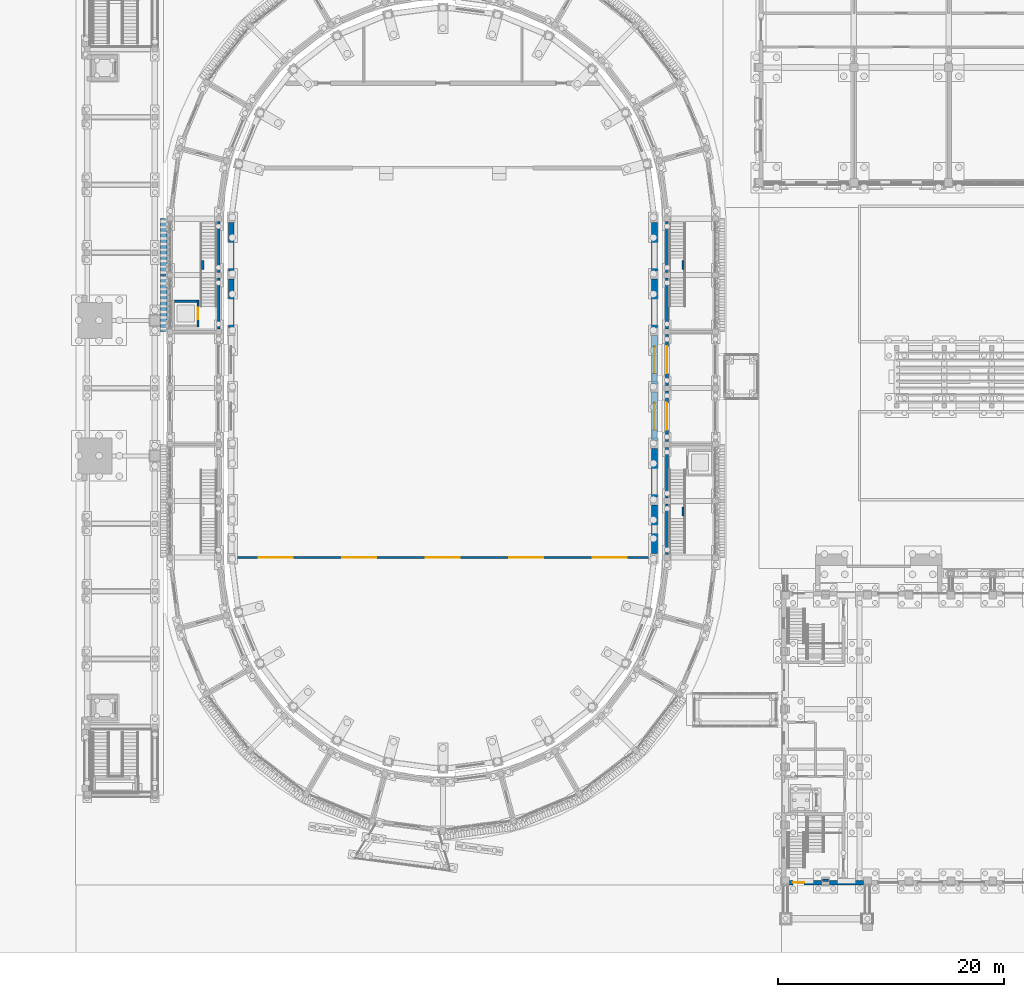
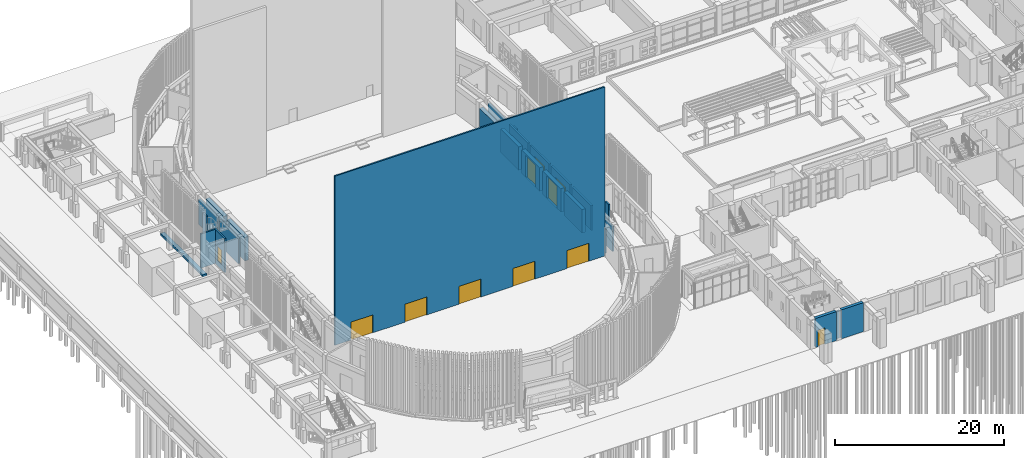
# One storey, part 62 of 112: 27 walls, 11 doors, 11 openings.
"""IFC4 building model written with IfcOpenShell, lengths in metres."""

import ifcopenshell
import ifcopenshell.guid

model = None  # the IFC model being written
_history = None  # IfcOwnerHistory: only IFC2X3 demands one
_inside = {}  # id of a spatial element -> (the spatial element, [elements in it])
_under = {}  # id of a project, library or spatial element -> (it, [spatial elements below it])
_declared = {}  # id of a project -> (the project, [libraries it declares])
_typed = {}  # id of a type object -> (the type object, [elements of that type])
_made_of = {}  # id of a material, layer set ... -> (it, [elements and type objects made of it])


def new_model(schema):
    """Start an empty IFC model of exactly this schema.

    Asked for "IFC4X3", IfcOpenShell would pick the latest addendum, in which some entities
    have other attributes; the version numbers below select the first issue.
    IFC2X3 requires an IfcOwnerHistory on every rooted entity: one is made here for all.
    """
    global model, _history
    if schema == "IFC4X3":
        model = ifcopenshell.file(schema_version=(4, 3, 0, 0))
    else:
        model = ifcopenshell.file(schema=schema)
    _inside.clear()
    _under.clear()
    _declared.clear()
    _typed.clear()
    _made_of.clear()
    _history = None
    if model.schema == "IFC2X3":
        org = make("IfcOrganization", Name="unknown")
        user = make(
            "IfcPersonAndOrganization",
            ThePerson=make("IfcPerson", FamilyName="unknown"),
            TheOrganization=org,
        )
        app = make(
            "IfcApplication",
            ApplicationDeveloper=org,
            Version="unknown",
            ApplicationFullName="unknown",
            ApplicationIdentifier="unknown",
        )
        _history = make(
            "IfcOwnerHistory",
            OwningUser=user,
            OwningApplication=app,
            ChangeAction="ADDED",
            CreationDate=0,
        )
    return model


def make(cls, **values):
    """One entity of the class cls with the attributes given. An attribute that is None is left unset."""
    return model.create_entity(
        cls, **{name: value for name, value in values.items() if value is not None}
    )


def rooted(cls, **values):
    """An entity with a GlobalId (a new one), such as an element, a storey or a relation."""
    return make(cls, GlobalId=ifcopenshell.guid.new(), OwnerHistory=_history, **values)


def si_unit(unit_type, name, prefix=None):
    """IfcSIUnit, for example si_unit("LENGTHUNIT", "METRE", prefix="MILLI")."""
    return make("IfcSIUnit", UnitType=unit_type, Prefix=prefix, Name=name)


def assignment(units):
    """IfcUnitAssignment: the units of a project."""
    return None if units is None else make("IfcUnitAssignment", Units=units)


def point(xyz):
    """IfcCartesianPoint."""
    return None if xyz is None else make("IfcCartesianPoint", Coordinates=xyz)


def direction(xyz):
    """IfcDirection."""
    return None if xyz is None else make("IfcDirection", DirectionRatios=xyz)


def frame(location, z_axis=None, x_axis=None):
    """IfcAxis2Placement3D, a coordinate frame: its origin and axes. An axis left out is left unset."""
    return make(
        "IfcAxis2Placement3D",
        Location=point(location),
        Axis=direction(z_axis),
        RefDirection=direction(x_axis),
    )


def frame_2d(location, x_axis=None):
    """IfcAxis2Placement2D, a coordinate frame in the plane: its origin and x axis."""
    return make(
        "IfcAxis2Placement2D", Location=point(location), RefDirection=direction(x_axis)
    )


def origin():
    """The frame at (0, 0, 0) with its axes left unset."""
    return frame((0.0, 0.0, 0.0))


def place(relative_to, where):
    """IfcLocalPlacement: puts the frame where relative to a parent placement (None: the world)."""
    return make(
        "IfcLocalPlacement", PlacementRelTo=relative_to, RelativePlacement=where
    )


def context(
    kind, dimensions, precision=None, world=None, true_north=None, identifier=None
):
    """IfcGeometricRepresentationContext, for example the 3D "Model" context."""
    return make(
        "IfcGeometricRepresentationContext",
        ContextIdentifier=identifier,
        ContextType=kind,
        CoordinateSpaceDimension=dimensions,
        Precision=precision,
        WorldCoordinateSystem=world,
        TrueNorth=true_north,
    )


def subcontext(parent, identifier, kind, view, scale=None):
    """IfcGeometricRepresentationSubContext, for example "Body" below "Model"."""
    return make(
        "IfcGeometricRepresentationSubContext",
        ContextIdentifier=identifier,
        ContextType=kind,
        ParentContext=parent,
        TargetScale=scale,
        TargetView=view,
    )


def project(units=None, contexts=None):
    """IfcProject with its units and contexts."""
    return rooted(
        "IfcProject",
        Name="project",
        RepresentationContexts=contexts,
        UnitsInContext=assignment(units),
    )


def spatial(cls, under=None, at=None, **own):
    """A site, building, storey or space (cls), placed at a placement, below another one or the project."""
    s = rooted(cls, ObjectPlacement=at, **own)
    if under is not None:
        _under.setdefault(under.id(), (under, []))[1].append(s)
    return s


def profile(cls, at=None, kind="AREA", **sizes):
    """A parametric profile (cls). Its sizes go by their IFC names, for example OverallWidth=200.0."""
    return make(cls, ProfileType=kind, Position=at, **sizes)


def rectangle(**sizes):
    """IfcRectangleProfileDef."""
    return profile("IfcRectangleProfileDef", **sizes)


def extrude(swept, where, along, depth):
    """IfcExtrudedAreaSolid: the profile swept, set in the frame where, extruded along a direction by depth."""
    return make(
        "IfcExtrudedAreaSolid",
        SweptArea=swept,
        Position=where,
        ExtrudedDirection=direction(along),
        Depth=depth,
    )


def shape(context_of_items, identifier, shape_type, items):
    """IfcShapeRepresentation: the items that make up one representation, for example the "Body"."""
    return make(
        "IfcShapeRepresentation",
        ContextOfItems=context_of_items,
        RepresentationIdentifier=identifier,
        RepresentationType=shape_type,
        Items=items,
    )


def material(Name=None, Category=None):
    """IfcMaterial."""
    return make("IfcMaterial", Name=Name, Category=Category)


def layer(
    of_material, thickness, ventilated=None, Name=None, Category=None, Priority=None
):
    """IfcMaterialLayer: one layer of a wall or slab, of a material (None: an air gap)."""
    return make(
        "IfcMaterialLayer",
        Material=of_material,
        LayerThickness=thickness,
        IsVentilated=ventilated,
        Name=Name,
        Category=Category,
        Priority=Priority,
    )


def layer_set(layers, Name=None):
    """IfcMaterialLayerSet."""
    return make("IfcMaterialLayerSet", MaterialLayers=layers, LayerSetName=Name)


def made_of(thing, what):
    """Note that an element or type object is made of a material, layer set ...; save() writes the relation."""
    if what is not None:
        _made_of.setdefault(what.id(), (what, []))[1].append(thing)
    return thing


def type_object(cls, material=None, **own):
    """A type object (cls), such as IfcWallType, which elements share."""
    return made_of(rooted(cls, **own), material)


def element(
    cls,
    number,
    at=None,
    inside=None,
    cuts=None,
    type_object=None,
    material=None,
    context=None,
    identifier="Body",
    shape_type=None,
    held_by="IfcProductDefinitionShape",
    body=None,
    shapes=None,
    **own,
):
    """One element of the class cls, such as IfcWall. Its Tag is "e" and its number.

    at: its placement. inside: the storey or other place that contains it. cuts: it is an
    opening in that element (IfcRelVoidsElement). A single representation is given by context,
    identifier, shape_type and body (its items); several are given by shapes. held_by: the class
    of the entity that holds the representations. save() writes the other relations.
    """
    e = rooted(cls, Tag="e%d" % number, ObjectPlacement=at, **own)
    if body is not None:
        shapes = [shape(context, identifier, shape_type, body)]
    if shapes is not None:
        e.Representation = make(held_by, Representations=shapes)
    if inside is not None:
        _inside.setdefault(inside.id(), (inside, []))[1].append(e)
    if cuts is not None:
        rooted(
            "IfcRelVoidsElement", RelatingBuildingElement=cuts, RelatedOpeningElement=e
        )
    if type_object is not None:
        _typed.setdefault(type_object.id(), (type_object, []))[1].append(e)
    return made_of(e, material)


def fill(opening, filler):
    """IfcRelFillsElement: the door or window that sits in an opening."""
    return rooted(
        "IfcRelFillsElement",
        RelatingOpeningElement=opening,
        RelatedBuildingElement=filler,
    )


def aggregate(whole, parts):
    """IfcRelAggregates: a whole, such as a stair, and the parts it consists of."""
    return rooted("IfcRelAggregates", RelatingObject=whole, RelatedObjects=parts)


def save(model, path):
    """Write the relations noted so far, then the file.

    IfcRelAggregates (storeys below a building ...), IfcRelContainedInSpatialStructure (elements
    in a storey), IfcRelDefinesByType, IfcRelAssociatesMaterial and IfcRelDeclares: one each for
    every whole, place, type object, material and project.
    """
    for whole, parts in _under.values():
        aggregate(whole, parts)
    for where, things in _inside.values():
        rooted(
            "IfcRelContainedInSpatialStructure",
            RelatedElements=things,
            RelatingStructure=where,
        )
    for kind, things in _typed.values():
        rooted("IfcRelDefinesByType", RelatedObjects=things, RelatingType=kind)
    for what, things in _made_of.values():
        rooted("IfcRelAssociatesMaterial", RelatedObjects=things, RelatingMaterial=what)
    for by, libraries in _declared.values():
        rooted("IfcRelDeclares", RelatingContext=by, RelatedDefinitions=libraries)
    model.write(path)


model = new_model("IFC4")

# Units and contexts
model_context = context("Model", 3, precision=1e-05, world=origin(), true_north=direction((0.0, 1.0)))
body_context = subcontext(model_context, "Body", "Model", "MODEL_VIEW")
ifc_project = project(units=[si_unit("LENGTHUNIT", "METRE"), si_unit("AREAUNIT", "SQUARE_METRE"), si_unit("VOLUMEUNIT", "CUBIC_METRE"), si_unit("PLANEANGLEUNIT", "RADIAN"), si_unit("MASSUNIT", "GRAM", prefix="KILO")], contexts=[model_context])

# Site, building, storey
site_placement = place(None, origin())
site = spatial("IfcSite", under=ifc_project, at=site_placement, CompositionType="ELEMENT")
building_placement = place(site_placement, origin())
building = spatial("IfcBuilding", under=site, at=building_placement, Name="Wasatch Bagh Community Centre", CompositionType="ELEMENT")
storey_placement = place(building_placement, origin())
storey = spatial("IfcBuildingStorey", under=building, at=storey_placement, Name="L00", CompositionType="ELEMENT", Elevation=0.0)

# Wall, opening, door
ifc_material_1 = material(Name="Concrete C40", Category="concrete")
ifc_layer_1 = layer(ifc_material_1, 0.39990234375)
ifc_layer_set_1 = layer_set([ifc_layer_1], Name="Concrete C40")
wall_type_1 = type_object("IfcWallType", Name="DH RC WALL 400 solidwall", PredefinedType="SOLIDWALL", material=ifc_layer_set_1)
wall_1_placement = place(storey_placement, frame((69.550048828125, 6.199951171875, 0.0), z_axis=(0.0, 0.0, 1.0), x_axis=(-1.0, 0.0, 0.0)))
wall_1 = element("IfcWall", 1, at=wall_1_placement, inside=storey, type_object=wall_type_1, Name="DH.wall.L00.01", PredefinedType="SOLIDWALL", context=body_context, shape_type="SweptSolid", body=[
    extrude(rectangle(XDim=2.85009765625, YDim=0.39990234375, at=frame_2d((1.425048828125, 0.0))), origin(), (0.0, 0.0, 1.0), 4.199951171875),
])
opening_1_placement = place(wall_1_placement, frame((1.550048828125, 0.0, 0.0)))
opening_1 = element("IfcOpeningElement", 2, at=opening_1_placement, cuts=wall_1, Name="Opening 0D-03", PredefinedType="OPENING", context=body_context, shape_type="SweptSolid", body=[
    extrude(rectangle(XDim=1.0, YDim=2.39990234375, at=frame_2d((0.5, 1.199951171875))), frame((0.0, 0.2099609375, 0.0), z_axis=(0.0, -1.0, 0.0), x_axis=(1.0, 0.0, 0.0)), (0.0, 0.0, 1.0), 0.419921875),
])
ifc_material_2 = material(Name="Painted hardwood timber", Category="wood")
door_type_1 = type_object("IfcDoorType", Name="DH door 1000x2400 single", OperationType="SINGLE_SWING_LEFT", PredefinedType="DOOR", material=ifc_material_2)
door_1_placement = place(opening_1_placement, origin())
door_1 = element("IfcDoor", 3, at=door_1_placement, inside=storey, type_object=door_type_1, Name="DH.door.L00.0D-03", OperationType="SINGLE_SWING_LEFT", OverallHeight=2.39990234375, OverallWidth=1.0, PredefinedType="DOOR", context=body_context, shape_type="SweptSolid", body=[
    extrude(rectangle(XDim=1.0, YDim=2.39990234375, at=frame_2d((0.5, 1.199951171875))), frame((0.0, 0.02490234375, 0.0), z_axis=(0.0, -1.0, 0.0), x_axis=(1.0, 0.0, 0.0)), (0.0, 0.0, 1.0), 0.050048828125),
])
fill(opening_1, door_1)

# Walls
wall_2_placement = place(storey_placement, frame((73.25, 6.199951171875, 0.0), z_axis=(0.0, 0.0, 1.0), x_axis=(-1.0, 0.0, 0.0)))
element("IfcWall", 4, at=wall_2_placement, inside=storey, type_object=wall_type_1, Name="DH.wall.L00.02", PredefinedType="SOLIDWALL", context=body_context, shape_type="SweptSolid", body=[
    extrude(rectangle(XDim=3.0, YDim=0.39990234375, at=frame_2d((1.5, 0.0))), origin(), (0.0, 0.0, 1.0), 4.199951171875),
])
ifc_material_3 = material(Name="Hollow block masonry, medium weight (ASTM Grade N)", Category="masonry")
ifc_layer_2 = layer(ifc_material_3, 0.2099609375)
ifc_layer_set_2 = layer_set([ifc_layer_2], Name="Hollow block masonry, medium weight (ASTM Grade N)")
wall_type_2 = type_object("IfcWallType", Name="DH partition 210", PredefinedType="PARTITIONING", material=ifc_layer_set_2)
wall_3_placement = place(storey_placement, frame((69.6298828125, 6.39990234375, 0.0), z_axis=(0.0, 0.0, 1.0), x_axis=(1.0, 0.0, 0.0)))
element("IfcWall", 5, at=wall_3_placement, inside=storey, type_object=wall_type_2, Name="DH.part.L00.012", PredefinedType="PARTITIONING", context=body_context, shape_type="SweptSolid", body=[
    extrude(rectangle(XDim=0.5400390625, YDim=0.2099609375, at=frame_2d((0.27001953125, 0.0))), origin(), (0.0, 0.0, 1.0), 3.97998046875),
])
ifc_layer_3 = layer(ifc_material_1, 0.25)
ifc_layer_set_3 = layer_set([ifc_layer_3], Name="Concrete C40")
wall_type_3 = type_object("IfcWallType", Name="Drum inner wall RC WALL 250", PredefinedType="SHEAR", material=ifc_layer_set_3)
for number, where, z_axis, x_axis, name in (
    (6, (55.85009765625, 35.25048828125, 0.0), (0.0, 0.0, 1.0), (0.0, 1.0, 0.0), "Inner wall 13"),
    (7, (55.85009765625, 40.25048828125, 0.0), (0.0, 0.0, 1.0), (0.0, 1.0, 0.0), "Inner wall 14"),
):
    element("IfcWall", number, at=place(storey_placement, frame(where, z_axis=z_axis, x_axis=x_axis)), inside=storey, type_object=wall_type_3, Name=name, PredefinedType="SHEAR", context=body_context, shape_type="SweptSolid", body=[
        extrude(rectangle(XDim=4.4990234375, YDim=0.25, at=frame_2d((2.24951171875, 0.0))), origin(), (0.0, 0.0, 1.0), 3.60009765625),
    ])

# Wall, opening, door
wall_4_placement = place(storey_placement, frame((55.85009765625, 45.25048828125, 0.0), z_axis=(0.0, 0.0, 1.0), x_axis=(0.0, 1.0, 0.0)))
wall_4 = element("IfcWall", 8, at=wall_4_placement, inside=storey, type_object=wall_type_3, Name="Inner wall 15", PredefinedType="SHEAR", context=body_context, shape_type="SweptSolid", body=[
    extrude(rectangle(XDim=4.4990234375, YDim=0.25, at=frame_2d((2.24951171875, 0.0))), origin(), (0.0, 0.0, 1.0), 3.60009765625),
])
opening_2_placement = place(wall_4_placement, frame((1.049560546875, 0.0, 0.0)))
opening_2 = element("IfcOpeningElement", 9, at=opening_2_placement, cuts=wall_4, Name="Opening 0F-63", PredefinedType="OPENING", context=body_context, shape_type="SweptSolid", body=[
    extrude(rectangle(XDim=2.39990234375, YDim=2.60009765625, at=frame_2d((1.199951171875, 1.300048828125))), frame((0.0, 0.135009765625, 0.0), z_axis=(0.0, -1.0, 0.0), x_axis=(1.0, 0.0, 0.0)), (0.0, 0.0, 1.0), 0.27001953125),
])
ifc_material_4 = material(Name="Aluminium framed door with low-iron insulated glass", Category="aluminium")
door_type_2 = type_object("IfcDoorType", Name="Drum gate door pair 2400 x 2600", OperationType="DOUBLE_DOOR_SLIDING", PredefinedType="DOOR", material=ifc_material_4)
door_2_placement = place(opening_2_placement, origin())
door_2 = element("IfcDoor", 10, at=door_2_placement, inside=storey, type_object=door_type_2, Name="Door 0F-63", OperationType="DOUBLE_DOOR_SLIDING", OverallHeight=2.60009765625, OverallWidth=2.39990234375, PredefinedType="DOOR", context=body_context, shape_type="SweptSolid", body=[
    extrude(rectangle(XDim=2.39990234375, YDim=2.60009765625, at=frame_2d((1.199951171875, 1.300048828125))), frame((0.0, 0.02490234375, 0.0), z_axis=(0.0, -1.0, 0.0), x_axis=(1.0, 0.0, 0.0)), (0.0, 0.0, 1.0), 0.050048828125),
])
fill(opening_2, door_2)

wall_5_placement = place(storey_placement, frame((55.85009765625, 50.25048828125, 0.0), z_axis=(0.0, 0.0, 1.0), x_axis=(0.0, 1.0, 0.0)))
wall_5 = element("IfcWall", 11, at=wall_5_placement, inside=storey, type_object=wall_type_3, Name="Inner wall 16", PredefinedType="SHEAR", context=body_context, shape_type="SweptSolid", body=[
    extrude(rectangle(XDim=4.4990234375, YDim=0.25, at=frame_2d((2.24951171875, 0.0))), origin(), (0.0, 0.0, 1.0), 3.60009765625),
])
opening_3_placement = place(wall_5_placement, frame((1.049560546875, 0.0, 0.0)))
opening_3 = element("IfcOpeningElement", 12, at=opening_3_placement, cuts=wall_5, Name="Opening 0F-64", PredefinedType="OPENING", context=body_context, shape_type="SweptSolid", body=[
    extrude(rectangle(XDim=2.39990234375, YDim=2.60009765625, at=frame_2d((1.199951171875, 1.300048828125))), frame((0.0, 0.135009765625, 0.0), z_axis=(0.0, -1.0, 0.0), x_axis=(1.0, 0.0, 0.0)), (0.0, 0.0, 1.0), 0.27001953125),
])
door_3_placement = place(opening_3_placement, origin())
door_3 = element("IfcDoor", 13, at=door_3_placement, inside=storey, type_object=door_type_2, Name="Door 0F-64", OperationType="DOUBLE_DOOR_SLIDING", OverallHeight=2.60009765625, OverallWidth=2.39990234375, PredefinedType="DOOR", context=body_context, shape_type="SweptSolid", body=[
    extrude(rectangle(XDim=2.39990234375, YDim=2.60009765625, at=frame_2d((1.199951171875, 1.300048828125))), frame((0.0, 0.02490234375, 0.0), z_axis=(0.0, -1.0, 0.0), x_axis=(1.0, 0.0, 0.0)), (0.0, 0.0, 1.0), 0.050048828125),
])
fill(opening_3, door_3)

# Walls
for number, where, z_axis, x_axis, name in (
    (14, (55.85009765625, 55.25048828125, 0.0), (0.0, 0.0, 1.0), (0.0, 1.0, 0.0), "Inner wall 17"),
    (15, (55.85009765625, 60.25048828125, 0.0), (0.0, 0.0, 1.0), (0.0, 1.0, 0.0), "Inner wall 18"),
    (16, (16.14990234375, 64.74951171875, 0.0), (0.0, 0.0, 1.0), (0.0, -1.0, 0.0), "Inner wall 31"),
    (17, (16.14990234375, 59.74951171875, 0.0), (0.0, 0.0, 1.0), (0.0, -1.0, 0.0), "Inner wall 32"),
):
    element("IfcWall", number, at=place(storey_placement, frame(where, z_axis=z_axis, x_axis=x_axis)), inside=storey, type_object=wall_type_3, Name=name, PredefinedType="SHEAR", context=body_context, shape_type="SweptSolid", body=[
        extrude(rectangle(XDim=4.4990234375, YDim=0.25, at=frame_2d((2.24951171875, 0.0))), origin(), (0.0, 0.0, 1.0), 3.60009765625),
    ])
ifc_layer_4 = layer(ifc_material_1, 0.199951171875)
ifc_layer_set_4 = layer_set([ifc_layer_4], Name="Concrete C40")
wall_type_4 = type_object("IfcWallType", Name="Drum landing support wall RC WALL 200", PredefinedType="SHEAR", material=ifc_layer_set_4)
wall_6_placement = place(storey_placement, frame((57.27490234375, 38.679931640625, 0.0), z_axis=(0.0, 0.0, 1.0), x_axis=(0.0, 1.0, 0.0)))
element("IfcWall", 18, at=wall_6_placement, inside=storey, type_object=wall_type_4, Name="Stair SE0 landing support wall", PredefinedType="SHEAR", context=body_context, shape_type="SweptSolid", body=[
    extrude(rectangle(XDim=0.800048828125, YDim=0.199951171875, at=frame_2d((0.39990234375, 0.0))), origin(), (0.0, 0.0, 1.0), 4.199951171875),
])
wall_7_placement = place(storey_placement, frame((57.27490234375, 61.320068359375, 0.0), z_axis=(0.0, 0.0, 1.0), x_axis=(0.0, -1.0, 0.0)))
element("IfcWall", 19, at=wall_7_placement, inside=storey, type_object=wall_type_4, Name="Stair NE0 landing support wall", PredefinedType="SHEAR", context=body_context, shape_type="SweptSolid", body=[
    extrude(rectangle(XDim=0.800048828125, YDim=0.199951171875, at=frame_2d((0.39990234375, 0.0))), origin(), (0.0, 0.0, 1.0), 1.89990234375),
])
wall_8_placement = place(storey_placement, frame((14.72509765625, 61.320068359375, 0.0), z_axis=(0.0, 0.0, 1.0), x_axis=(0.0, -1.0, 0.0)))
element("IfcWall", 20, at=wall_8_placement, inside=storey, type_object=wall_type_4, Name="Stair NW0 landing support wall", PredefinedType="SHEAR", context=body_context, shape_type="SweptSolid", body=[
    extrude(rectangle(XDim=0.800048828125, YDim=0.199951171875, at=frame_2d((0.39990234375, 0.0))), origin(), (0.0, 0.0, 1.0), 4.199951171875),
])

# Wall, opening, door
ifc_layer_5 = layer(ifc_material_1, 0.199951171875)
ifc_layer_set_5 = layer_set([ifc_layer_5], Name="Concrete C40")
wall_type_5 = type_object("IfcWallType", Name="Drum lift shaft wall RC WALL 200", PredefinedType="SHEAR", material=ifc_layer_set_5)
wall_9_placement = place(storey_placement, frame((14.324951171875, 57.800048828125, -0.75), z_axis=(0.0, 0.0, 1.0), x_axis=(0.0, -1.0, 0.0)))
wall_9 = element("IfcWall", 21, at=wall_9_placement, inside=storey, type_object=wall_type_5, Name="Lift shaft wall NW in", PredefinedType="SHEAR", context=body_context, shape_type="SweptSolid", body=[
    extrude(rectangle(XDim=2.400146484375, YDim=0.199951171875, at=frame_2d((1.2001953125, 0.0))), origin(), (0.0, 0.0, 1.0), 4.949951171875),
])
opening_4_placement = place(wall_9_placement, frame((0.699951171875, 0.0, 0.75)))
opening_4 = element("IfcOpeningElement", 22, at=opening_4_placement, cuts=wall_9, Name="Opening LD", PredefinedType="OPENING", context=body_context, shape_type="SweptSolid", body=[
    extrude(rectangle(XDim=1.0, YDim=2.10009765625, at=frame_2d((0.5, 1.050048828125))), frame((0.0, 0.10986328125, 0.0), z_axis=(0.0, -1.0, 0.0), x_axis=(1.0, 0.0, 0.0)), (0.0, 0.0, 1.0), 0.219970703125),
])
ifc_material_5 = material(Name="Stainless steel landing door", Category="steel")
door_type_3 = type_object("IfcDoorType", Name="Lift landing door 1000 x 2100", OperationType="SLIDING_TO_LEFT", PredefinedType="DOOR", material=ifc_material_5)
door_4_placement = place(opening_4_placement, origin())
door_4 = element("IfcDoor", 23, at=door_4_placement, inside=storey, type_object=door_type_3, Name="Lift landing door NW L00", OperationType="SLIDING_TO_LEFT", OverallHeight=2.10009765625, OverallWidth=1.0, PredefinedType="DOOR", context=body_context, shape_type="SweptSolid", body=[
    extrude(rectangle(XDim=1.0, YDim=2.10009765625, at=frame_2d((0.5, 1.050048828125))), frame((0.0, 0.02490234375, 0.0), z_axis=(0.0, -1.0, 0.0), x_axis=(1.0, 0.0, 0.0)), (0.0, 0.0, 1.0), 0.050048828125),
])
fill(opening_4, door_4)

# Walls
wall_10_placement = place(storey_placement, frame((14.22509765625, 57.699951171875, -0.75), z_axis=(0.0, 0.0, 1.0), x_axis=(-1.0, 0.0, 0.0)))
element("IfcWall", 24, at=wall_10_placement, inside=storey, type_object=wall_type_5, Name="Lift shaft wall NW a0", PredefinedType="SHEAR", context=body_context, shape_type="SweptSolid", body=[
    extrude(rectangle(XDim=2.0, YDim=0.199951171875, at=frame_2d((1.0, 0.0))), origin(), (0.0, 0.0, 1.0), 4.949951171875),
])
ifc_material_6 = material(Name="Concrete C35 faced in red sandstone", Category="masonry")
ifc_layer_6 = layer(ifc_material_6, 0.669921875)
ifc_layer_set_6 = layer_set([ifc_layer_6], Name="Concrete C35 faced in red sandstone")
wall_type_6 = type_object("IfcWallType", Name="Drum sandstone plinth", PredefinedType="STANDARD", material=ifc_layer_set_6)
for number, where, z_axis, x_axis, name in (
    (25, (11.280029296875, 65.0, 0.0), (0.0, 0.0, 1.0), (0.0, -1.0, 0.0), "Sandstone plinth 31"),
    (26, (11.280029296875, 60.0, 0.0), (0.0, 0.0, 1.0), (0.0, -1.0, 0.0), "Sandstone plinth 32"),
):
    element("IfcWall", number, at=place(storey_placement, frame(where, z_axis=z_axis, x_axis=x_axis)), inside=storey, type_object=wall_type_6, Name=name, PredefinedType="STANDARD", context=body_context, shape_type="SweptSolid", body=[
        extrude(rectangle(XDim=5.0, YDim=0.56005859375, at=frame_2d((2.5, 0.0))), origin(), (0.0, 0.0, 1.0), 0.300048828125),
    ])

# Wall, openings, doors
ifc_material_7 = material(Name="Glazed screen in aluminium frames with low-iron insulated glass", Category="aluminium")
ifc_layer_7 = layer(ifc_material_7, 0.199951171875)
ifc_layer_set_7 = layer_set([ifc_layer_7], Name="Glazed screen in aluminium frames with low-iron insulated glass")
wall_type_7 = type_object("IfcWallType", Name="MH screen wall 200", PredefinedType="PARTITIONING", material=ifc_layer_set_7)
wall_11_placement = place(storey_placement, frame((17.502197265625, 35.0, 0.0), z_axis=(0.0, 0.0, 1.0), x_axis=(1.0, 0.0, 0.0)))
wall_11 = element("IfcWall", 27, at=wall_11_placement, inside=storey, type_object=wall_type_7, Name="Prayer Hall screen wall", PredefinedType="PARTITIONING", context=body_context, shape_type="SweptSolid", body=[
    extrude(rectangle(XDim=36.99560546875, YDim=0.199951171875, at=frame_2d((18.497802734375, 0.0))), origin(), (0.0, 0.0, 1.0), 24.5),
])
opening_5_placement = place(wall_11_placement, frame((2.199462890625, 0.0, 0.0)))
opening_5 = element("IfcOpeningElement", 28, at=opening_5_placement, cuts=wall_11, Name="Opening 0M-21", PredefinedType="OPENING", context=body_context, shape_type="SweptSolid", body=[
    extrude(rectangle(XDim=3.0, YDim=2.60009765625, at=frame_2d((1.5, 1.300048828125))), frame((0.0, 0.10986328125, 0.0), z_axis=(0.0, -1.0, 0.0), x_axis=(1.0, 0.0, 0.0)), (0.0, 0.0, 1.0), 0.219970703125),
])
opening_6_placement = place(wall_11_placement, frame((9.5986328125, 0.0, 0.0)))
opening_6 = element("IfcOpeningElement", 29, at=opening_6_placement, cuts=wall_11, Name="Opening 0M-22", PredefinedType="OPENING", context=body_context, shape_type="SweptSolid", body=[
    extrude(rectangle(XDim=3.0, YDim=2.60009765625, at=frame_2d((1.5, 1.300048828125))), frame((0.0, 0.10986328125, 0.0), z_axis=(0.0, -1.0, 0.0), x_axis=(1.0, 0.0, 0.0)), (0.0, 0.0, 1.0), 0.219970703125),
])
opening_7_placement = place(wall_11_placement, frame((16.997802734375, 0.0, 0.0)))
opening_7 = element("IfcOpeningElement", 30, at=opening_7_placement, cuts=wall_11, Name="Opening 0M-23", PredefinedType="OPENING", context=body_context, shape_type="SweptSolid", body=[
    extrude(rectangle(XDim=3.0, YDim=2.60009765625, at=frame_2d((1.5, 1.300048828125))), frame((0.0, 0.10986328125, 0.0), z_axis=(0.0, -1.0, 0.0), x_axis=(1.0, 0.0, 0.0)), (0.0, 0.0, 1.0), 0.219970703125),
])
opening_8_placement = place(wall_11_placement, frame((24.39697265625, 0.0, 0.0)))
opening_8 = element("IfcOpeningElement", 31, at=opening_8_placement, cuts=wall_11, Name="Opening 0M-24", PredefinedType="OPENING", context=body_context, shape_type="SweptSolid", body=[
    extrude(rectangle(XDim=3.0, YDim=2.60009765625, at=frame_2d((1.5, 1.300048828125))), frame((0.0, 0.10986328125, 0.0), z_axis=(0.0, -1.0, 0.0), x_axis=(1.0, 0.0, 0.0)), (0.0, 0.0, 1.0), 0.219970703125),
])
opening_9_placement = place(wall_11_placement, frame((31.796142578125, 0.0, 0.0)))
opening_9 = element("IfcOpeningElement", 32, at=opening_9_placement, cuts=wall_11, Name="Opening 0M-25", PredefinedType="OPENING", context=body_context, shape_type="SweptSolid", body=[
    extrude(rectangle(XDim=3.0, YDim=2.60009765625, at=frame_2d((1.5, 1.300048828125))), frame((0.0, 0.10986328125, 0.0), z_axis=(0.0, -1.0, 0.0), x_axis=(1.0, 0.0, 0.0)), (0.0, 0.0, 1.0), 0.219970703125),
])
door_type_4 = type_object("IfcDoorType", Name="MH screen door pair 3000 x 2600", OperationType="DOUBLE_DOOR_SLIDING", PredefinedType="DOOR", material=ifc_material_4)
door_5_placement = place(opening_5_placement, origin())
door_5 = element("IfcDoor", 33, at=door_5_placement, inside=storey, type_object=door_type_4, Name="Door 0M-21", OperationType="DOUBLE_DOOR_SLIDING", OverallHeight=2.60009765625, OverallWidth=3.0, PredefinedType="DOOR", context=body_context, shape_type="SweptSolid", body=[
    extrude(rectangle(XDim=3.0, YDim=2.60009765625, at=frame_2d((1.5, 1.300048828125))), frame((0.0, 0.02490234375, 0.0), z_axis=(0.0, -1.0, 0.0), x_axis=(1.0, 0.0, 0.0)), (0.0, 0.0, 1.0), 0.050048828125),
])
fill(opening_5, door_5)
door_6_placement = place(opening_6_placement, origin())
door_6 = element("IfcDoor", 34, at=door_6_placement, inside=storey, type_object=door_type_4, Name="Door 0M-22", OperationType="DOUBLE_DOOR_SLIDING", OverallHeight=2.60009765625, OverallWidth=3.0, PredefinedType="DOOR", context=body_context, shape_type="SweptSolid", body=[
    extrude(rectangle(XDim=3.0, YDim=2.60009765625, at=frame_2d((1.5, 1.300048828125))), frame((0.0, 0.02490234375, 0.0), z_axis=(0.0, -1.0, 0.0), x_axis=(1.0, 0.0, 0.0)), (0.0, 0.0, 1.0), 0.050048828125),
])
fill(opening_6, door_6)
door_7_placement = place(opening_7_placement, origin())
door_7 = element("IfcDoor", 35, at=door_7_placement, inside=storey, type_object=door_type_4, Name="Door 0M-23", OperationType="DOUBLE_DOOR_SLIDING", OverallHeight=2.60009765625, OverallWidth=3.0, PredefinedType="DOOR", context=body_context, shape_type="SweptSolid", body=[
    extrude(rectangle(XDim=3.0, YDim=2.60009765625, at=frame_2d((1.5, 1.300048828125))), frame((0.0, 0.02490234375, 0.0), z_axis=(0.0, -1.0, 0.0), x_axis=(1.0, 0.0, 0.0)), (0.0, 0.0, 1.0), 0.050048828125),
])
fill(opening_7, door_7)
door_8_placement = place(opening_8_placement, origin())
door_8 = element("IfcDoor", 36, at=door_8_placement, inside=storey, type_object=door_type_4, Name="Door 0M-24", OperationType="DOUBLE_DOOR_SLIDING", OverallHeight=2.60009765625, OverallWidth=3.0, PredefinedType="DOOR", context=body_context, shape_type="SweptSolid", body=[
    extrude(rectangle(XDim=3.0, YDim=2.60009765625, at=frame_2d((1.5, 1.300048828125))), frame((0.0, 0.02490234375, 0.0), z_axis=(0.0, -1.0, 0.0), x_axis=(1.0, 0.0, 0.0)), (0.0, 0.0, 1.0), 0.050048828125),
])
fill(opening_8, door_8)
door_9_placement = place(opening_9_placement, origin())
door_9 = element("IfcDoor", 37, at=door_9_placement, inside=storey, type_object=door_type_4, Name="Door 0M-25", OperationType="DOUBLE_DOOR_SLIDING", OverallHeight=2.60009765625, OverallWidth=3.0, PredefinedType="DOOR", context=body_context, shape_type="SweptSolid", body=[
    extrude(rectangle(XDim=3.0, YDim=2.60009765625, at=frame_2d((1.5, 1.300048828125))), frame((0.0, 0.02490234375, 0.0), z_axis=(0.0, -1.0, 0.0), x_axis=(1.0, 0.0, 0.0)), (0.0, 0.0, 1.0), 0.050048828125),
])
fill(opening_9, door_9)

# Walls
ifc_layer_8 = layer(ifc_material_1, 0.5)
ifc_layer_set_8 = layer_set([ifc_layer_8], Name="Concrete C40")
wall_type_8 = type_object("IfcWallType", Name="MH wall RC WALL 500", PredefinedType="SHEAR", material=ifc_layer_set_8)
for number, where, z_axis, x_axis, name in (
    (38, (54.75, 35.3505859375, 0.0), (0.0, 0.0, 1.0), (0.0, 1.0, 0.0), "Capsule wall 13"),
    (39, (54.75, 40.3505859375, 0.0), (0.0, 0.0, 1.0), (0.0, 1.0, 0.0), "Capsule wall 14"),
):
    element("IfcWall", number, at=place(storey_placement, frame(where, z_axis=z_axis, x_axis=x_axis)), inside=storey, type_object=wall_type_8, Name=name, PredefinedType="SHEAR", context=body_context, shape_type="SweptSolid", body=[
        extrude(rectangle(XDim=4.298828125, YDim=0.5, at=frame_2d((2.1494140625, 0.0))), origin(), (0.0, 0.0, 1.0), 3.39990234375),
    ])

# Wall, opening, door
wall_12_placement = place(storey_placement, frame((54.75, 45.3505859375, 0.0), z_axis=(0.0, 0.0, 1.0), x_axis=(0.0, 1.0, 0.0)))
wall_12 = element("IfcWall", 40, at=wall_12_placement, inside=storey, type_object=wall_type_8, Name="Capsule wall 15", PredefinedType="SHEAR", context=body_context, shape_type="SweptSolid", body=[
    extrude(rectangle(XDim=4.298828125, YDim=0.5, at=frame_2d((2.1494140625, 0.0))), origin(), (0.0, 0.0, 1.0), 3.39990234375),
])
opening_10_placement = place(wall_12_placement, frame((0.949462890625, 0.0, 0.0)))
opening_10 = element("IfcOpeningElement", 41, at=opening_10_placement, cuts=wall_12, Name="Opening 0M-04", PredefinedType="OPENING", context=body_context, shape_type="SweptSolid", body=[
    extrude(rectangle(XDim=2.39990234375, YDim=3.199951171875, at=frame_2d((1.199951171875, 1.60009765625))), frame((0.0, 0.260009765625, 0.0), z_axis=(0.0, -1.0, 0.0), x_axis=(1.0, 0.0, 0.0)), (0.0, 0.0, 1.0), 0.52001953125),
])
door_type_5 = type_object("IfcDoorType", Name="MH gate door pair 2400 x 3200", OperationType="DOUBLE_DOOR_SLIDING", PredefinedType="DOOR", material=ifc_material_4)
door_10_placement = place(opening_10_placement, origin())
door_10 = element("IfcDoor", 42, at=door_10_placement, inside=storey, type_object=door_type_5, Name="Door 0M-04", OperationType="DOUBLE_DOOR_SLIDING", OverallHeight=3.199951171875, OverallWidth=2.39990234375, PredefinedType="DOOR", context=body_context, shape_type="SweptSolid", body=[
    extrude(rectangle(XDim=2.39990234375, YDim=3.199951171875, at=frame_2d((1.199951171875, 1.60009765625))), frame((0.0, 0.02490234375, 0.0), z_axis=(0.0, -1.0, 0.0), x_axis=(1.0, 0.0, 0.0)), (0.0, 0.0, 1.0), 0.050048828125),
])
fill(opening_10, door_10)

wall_13_placement = place(storey_placement, frame((54.75, 50.3505859375, 0.0), z_axis=(0.0, 0.0, 1.0), x_axis=(0.0, 1.0, 0.0)))
wall_13 = element("IfcWall", 43, at=wall_13_placement, inside=storey, type_object=wall_type_8, Name="Capsule wall 16", PredefinedType="SHEAR", context=body_context, shape_type="SweptSolid", body=[
    extrude(rectangle(XDim=4.298828125, YDim=0.5, at=frame_2d((2.1494140625, 0.0))), origin(), (0.0, 0.0, 1.0), 3.39990234375),
])
opening_11_placement = place(wall_13_placement, frame((0.949462890625, 0.0, 0.0)))
opening_11 = element("IfcOpeningElement", 44, at=opening_11_placement, cuts=wall_13, Name="Opening 0M-05", PredefinedType="OPENING", context=body_context, shape_type="SweptSolid", body=[
    extrude(rectangle(XDim=2.39990234375, YDim=3.199951171875, at=frame_2d((1.199951171875, 1.60009765625))), frame((0.0, 0.260009765625, 0.0), z_axis=(0.0, -1.0, 0.0), x_axis=(1.0, 0.0, 0.0)), (0.0, 0.0, 1.0), 0.52001953125),
])
door_11_placement = place(opening_11_placement, origin())
door_11 = element("IfcDoor", 45, at=door_11_placement, inside=storey, type_object=door_type_5, Name="Door 0M-05", OperationType="DOUBLE_DOOR_SLIDING", OverallHeight=3.199951171875, OverallWidth=2.39990234375, PredefinedType="DOOR", context=body_context, shape_type="SweptSolid", body=[
    extrude(rectangle(XDim=2.39990234375, YDim=3.199951171875, at=frame_2d((1.199951171875, 1.60009765625))), frame((0.0, 0.02490234375, 0.0), z_axis=(0.0, -1.0, 0.0), x_axis=(1.0, 0.0, 0.0)), (0.0, 0.0, 1.0), 0.050048828125),
])
fill(opening_11, door_11)

# Walls
for number, where, z_axis, x_axis, name in (
    (46, (54.75, 55.3505859375, 0.0), (0.0, 0.0, 1.0), (0.0, 1.0, 0.0), "Capsule wall 17"),
    (47, (54.75, 60.3505859375, 0.0), (0.0, 0.0, 1.0), (0.0, 1.0, 0.0), "Capsule wall 18"),
    (48, (17.25, 64.6494140625, 0.0), (0.0, 0.0, 1.0), (0.0, -1.0, 0.0), "Capsule wall 31"),
    (49, (17.25, 59.6494140625, 0.0), (0.0, 0.0, 1.0), (0.0, -1.0, 0.0), "Capsule wall 32"),
):
    element("IfcWall", number, at=place(storey_placement, frame(where, z_axis=z_axis, x_axis=x_axis)), inside=storey, type_object=wall_type_8, Name=name, PredefinedType="SHEAR", context=body_context, shape_type="SweptSolid", body=[
        extrude(rectangle(XDim=4.298828125, YDim=0.5, at=frame_2d((2.1494140625, 0.0))), origin(), (0.0, 0.0, 1.0), 3.39990234375),
    ])

save(model, "model.ifc")
